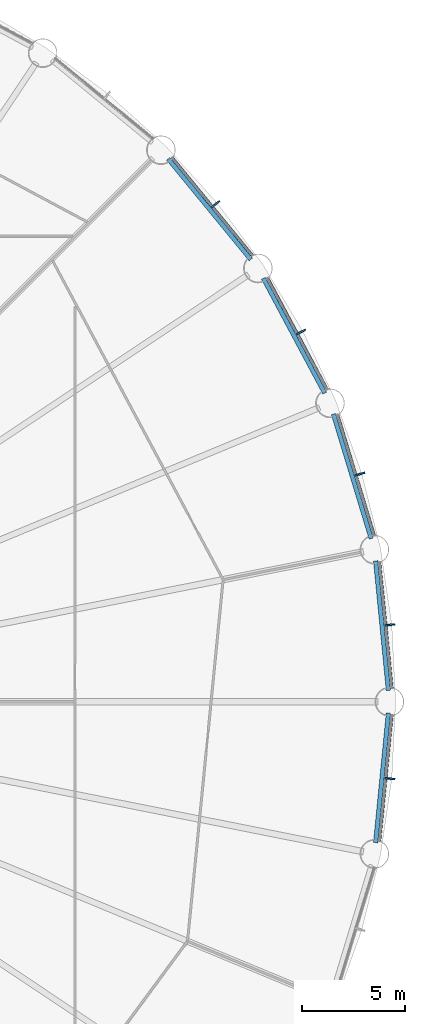
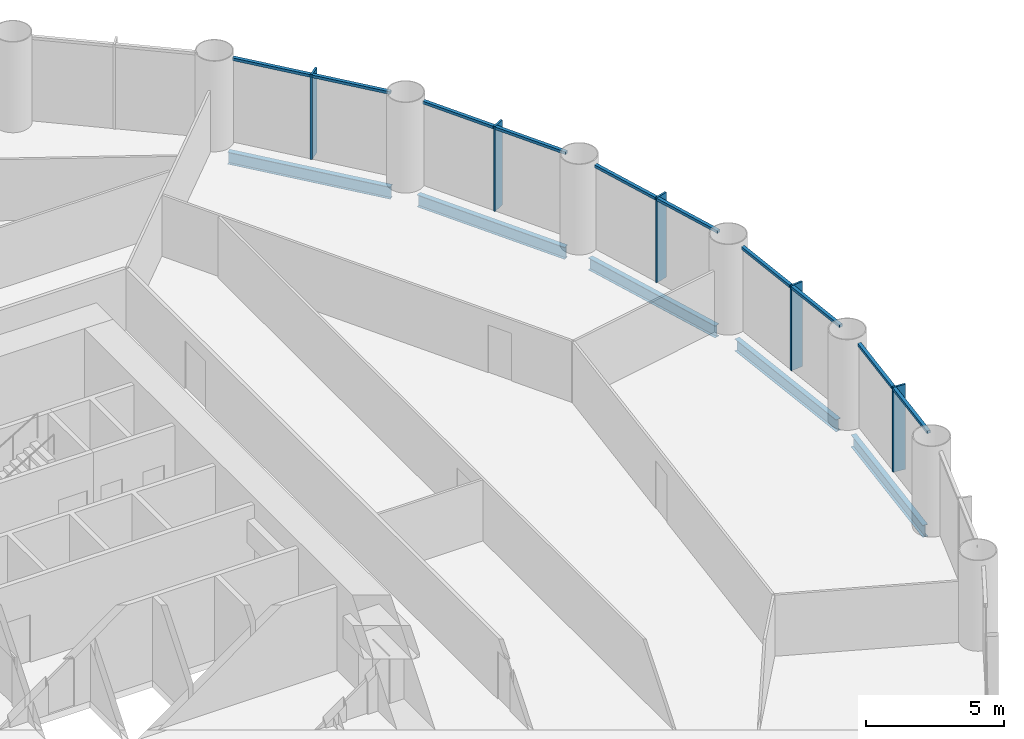
# One storey, part 6 of 15: 15 members, 5 beams, 5 elements without a shape of their own.
"""IFC4 building model written with IfcOpenShell, lengths in metres."""

import ifcopenshell
import ifcopenshell.guid

model = None  # the IFC model being written
_history = None  # IfcOwnerHistory: only IFC2X3 demands one
_inside = {}  # id of a spatial element -> (the spatial element, [elements in it])
_under = {}  # id of a project, library or spatial element -> (it, [spatial elements below it])
_declared = {}  # id of a project -> (the project, [libraries it declares])
_typed = {}  # id of a type object -> (the type object, [elements of that type])
_made_of = {}  # id of a material, layer set ... -> (it, [elements and type objects made of it])


def new_model(schema):
    """Start an empty IFC model of exactly this schema.

    Asked for "IFC4X3", IfcOpenShell would pick the latest addendum, in which some entities
    have other attributes; the version numbers below select the first issue.
    IFC2X3 requires an IfcOwnerHistory on every rooted entity: one is made here for all.
    """
    global model, _history
    if schema == "IFC4X3":
        model = ifcopenshell.file(schema_version=(4, 3, 0, 0))
    else:
        model = ifcopenshell.file(schema=schema)
    _inside.clear()
    _under.clear()
    _declared.clear()
    _typed.clear()
    _made_of.clear()
    _history = None
    if model.schema == "IFC2X3":
        org = make("IfcOrganization", Name="unknown")
        user = make(
            "IfcPersonAndOrganization",
            ThePerson=make("IfcPerson", FamilyName="unknown"),
            TheOrganization=org,
        )
        app = make(
            "IfcApplication",
            ApplicationDeveloper=org,
            Version="unknown",
            ApplicationFullName="unknown",
            ApplicationIdentifier="unknown",
        )
        _history = make(
            "IfcOwnerHistory",
            OwningUser=user,
            OwningApplication=app,
            ChangeAction="ADDED",
            CreationDate=0,
        )
    return model


def make(cls, **values):
    """One entity of the class cls with the attributes given. An attribute that is None is left unset."""
    return model.create_entity(
        cls, **{name: value for name, value in values.items() if value is not None}
    )


def rooted(cls, **values):
    """An entity with a GlobalId (a new one), such as an element, a storey or a relation."""
    return make(cls, GlobalId=ifcopenshell.guid.new(), OwnerHistory=_history, **values)


def si_unit(unit_type, name, prefix=None):
    """IfcSIUnit, for example si_unit("LENGTHUNIT", "METRE", prefix="MILLI")."""
    return make("IfcSIUnit", UnitType=unit_type, Prefix=prefix, Name=name)


def assignment(units):
    """IfcUnitAssignment: the units of a project."""
    return None if units is None else make("IfcUnitAssignment", Units=units)


def point(xyz):
    """IfcCartesianPoint."""
    return None if xyz is None else make("IfcCartesianPoint", Coordinates=xyz)


def direction(xyz):
    """IfcDirection."""
    return None if xyz is None else make("IfcDirection", DirectionRatios=xyz)


def frame(location, z_axis=None, x_axis=None):
    """IfcAxis2Placement3D, a coordinate frame: its origin and axes. An axis left out is left unset."""
    return make(
        "IfcAxis2Placement3D",
        Location=point(location),
        Axis=direction(z_axis),
        RefDirection=direction(x_axis),
    )


def frame_2d(location, x_axis=None):
    """IfcAxis2Placement2D, a coordinate frame in the plane: its origin and x axis."""
    return make(
        "IfcAxis2Placement2D", Location=point(location), RefDirection=direction(x_axis)
    )


def origin():
    """The frame at (0, 0, 0) with its axes left unset."""
    return frame((0.0, 0.0, 0.0))


def origin_2d():
    """The frame at (0, 0) in the plane with its x axis left unset."""
    return frame_2d((0.0, 0.0))


def place(relative_to, where):
    """IfcLocalPlacement: puts the frame where relative to a parent placement (None: the world)."""
    return make(
        "IfcLocalPlacement", PlacementRelTo=relative_to, RelativePlacement=where
    )


def context(
    kind, dimensions, precision=None, world=None, true_north=None, identifier=None
):
    """IfcGeometricRepresentationContext, for example the 3D "Model" context."""
    return make(
        "IfcGeometricRepresentationContext",
        ContextIdentifier=identifier,
        ContextType=kind,
        CoordinateSpaceDimension=dimensions,
        Precision=precision,
        WorldCoordinateSystem=world,
        TrueNorth=true_north,
    )


def subcontext(parent, identifier, kind, view, scale=None):
    """IfcGeometricRepresentationSubContext, for example "Body" below "Model"."""
    return make(
        "IfcGeometricRepresentationSubContext",
        ContextIdentifier=identifier,
        ContextType=kind,
        ParentContext=parent,
        TargetScale=scale,
        TargetView=view,
    )


def project(units=None, contexts=None):
    """IfcProject with its units and contexts."""
    return rooted(
        "IfcProject",
        Name="project",
        RepresentationContexts=contexts,
        UnitsInContext=assignment(units),
    )


def spatial(cls, under=None, at=None, **own):
    """A site, building, storey or space (cls), placed at a placement, below another one or the project."""
    s = rooted(cls, ObjectPlacement=at, **own)
    if under is not None:
        _under.setdefault(under.id(), (under, []))[1].append(s)
    return s


def profile(cls, at=None, kind="AREA", **sizes):
    """A parametric profile (cls). Its sizes go by their IFC names, for example OverallWidth=200.0."""
    return make(cls, ProfileType=kind, Position=at, **sizes)


def rectangle(**sizes):
    """IfcRectangleProfileDef."""
    return profile("IfcRectangleProfileDef", **sizes)


def i_section(**sizes):
    """IfcIShapeProfileDef."""
    return profile("IfcIShapeProfileDef", **sizes)


def extrude(swept, where, along, depth):
    """IfcExtrudedAreaSolid: the profile swept, set in the frame where, extruded along a direction by depth."""
    return make(
        "IfcExtrudedAreaSolid",
        SweptArea=swept,
        Position=where,
        ExtrudedDirection=direction(along),
        Depth=depth,
    )


def shape(context_of_items, identifier, shape_type, items):
    """IfcShapeRepresentation: the items that make up one representation, for example the "Body"."""
    return make(
        "IfcShapeRepresentation",
        ContextOfItems=context_of_items,
        RepresentationIdentifier=identifier,
        RepresentationType=shape_type,
        Items=items,
    )


def material(Name=None, Category=None):
    """IfcMaterial."""
    return make("IfcMaterial", Name=Name, Category=Category)


def material_profile(
    of_material, cross_section, Name=None, Category=None, Priority=None
):
    """IfcMaterialProfile: a cross section and its material."""
    return make(
        "IfcMaterialProfile",
        Name=Name,
        Material=of_material,
        Profile=cross_section,
        Priority=Priority,
        Category=Category,
    )


def profile_set(profiles, Name=None, composite=None):
    """IfcMaterialProfileSet."""
    return make(
        "IfcMaterialProfileSet",
        Name=Name,
        MaterialProfiles=profiles,
        CompositeProfile=composite,
    )


def made_of(thing, what):
    """Note that an element or type object is made of a material, layer set ...; save() writes the relation."""
    if what is not None:
        _made_of.setdefault(what.id(), (what, []))[1].append(thing)
    return thing


def type_object(cls, material=None, **own):
    """A type object (cls), such as IfcWallType, which elements share."""
    return made_of(rooted(cls, **own), material)


def element(
    cls,
    number,
    at=None,
    inside=None,
    cuts=None,
    type_object=None,
    material=None,
    context=None,
    identifier="Body",
    shape_type=None,
    held_by="IfcProductDefinitionShape",
    body=None,
    shapes=None,
    **own,
):
    """One element of the class cls, such as IfcWall. Its Tag is "e" and its number.

    at: its placement. inside: the storey or other place that contains it. cuts: it is an
    opening in that element (IfcRelVoidsElement). A single representation is given by context,
    identifier, shape_type and body (its items); several are given by shapes. held_by: the class
    of the entity that holds the representations. save() writes the other relations.
    """
    e = rooted(cls, Tag="e%d" % number, ObjectPlacement=at, **own)
    if body is not None:
        shapes = [shape(context, identifier, shape_type, body)]
    if shapes is not None:
        e.Representation = make(held_by, Representations=shapes)
    if inside is not None:
        _inside.setdefault(inside.id(), (inside, []))[1].append(e)
    if cuts is not None:
        rooted(
            "IfcRelVoidsElement", RelatingBuildingElement=cuts, RelatedOpeningElement=e
        )
    if type_object is not None:
        _typed.setdefault(type_object.id(), (type_object, []))[1].append(e)
    return made_of(e, material)


def aggregate(whole, parts):
    """IfcRelAggregates: a whole, such as a stair, and the parts it consists of."""
    return rooted("IfcRelAggregates", RelatingObject=whole, RelatedObjects=parts)


def save(model, path):
    """Write the relations noted so far, then the file.

    IfcRelAggregates (storeys below a building ...), IfcRelContainedInSpatialStructure (elements
    in a storey), IfcRelDefinesByType, IfcRelAssociatesMaterial and IfcRelDeclares: one each for
    every whole, place, type object, material and project.
    """
    for whole, parts in _under.values():
        aggregate(whole, parts)
    for where, things in _inside.values():
        rooted(
            "IfcRelContainedInSpatialStructure",
            RelatedElements=things,
            RelatingStructure=where,
        )
    for kind, things in _typed.values():
        rooted("IfcRelDefinesByType", RelatedObjects=things, RelatingType=kind)
    for what, things in _made_of.values():
        rooted("IfcRelAssociatesMaterial", RelatedObjects=things, RelatingMaterial=what)
    for by, libraries in _declared.values():
        rooted("IfcRelDeclares", RelatingContext=by, RelatedDefinitions=libraries)
    model.write(path)


model = new_model("IFC4")

# Units and contexts
model_context = context("Model", 3, precision=1e-05, world=origin(), true_north=direction((0.0, 1.0)))
body_context = subcontext(model_context, "Body", "Model", "MODEL_VIEW")
ifc_project = project(units=[si_unit("LENGTHUNIT", "METRE"), si_unit("AREAUNIT", "SQUARE_METRE"), si_unit("VOLUMEUNIT", "CUBIC_METRE"), si_unit("PLANEANGLEUNIT", "RADIAN"), si_unit("MASSUNIT", "GRAM", prefix="KILO")], contexts=[model_context])

# Site, building, storey
site_placement = place(None, origin())
site = spatial("IfcSite", under=ifc_project, at=site_placement, CompositionType="ELEMENT")
building_placement = place(site_placement, origin())
building = spatial("IfcBuilding", under=site, at=building_placement, Name="Corvane Civic Tower", CompositionType="ELEMENT")
storey_placement = place(building_placement, frame((0.0, 0.0, 45.0)))
storey = spatial("IfcBuildingStorey", under=building, at=storey_placement, Name="L09", CompositionType="ELEMENT", Elevation=45.0)

# Beams
ifc_material_1 = material(Name="Steel ASTM A992 Gr 50", Category="steel")
ifc_material_profile_1 = material_profile(ifc_material_1, i_section(OverallWidth=0.209228515625, OverallDepth=0.533447265625, WebThickness=0.01025390625, FlangeThickness=0.015625, at=origin_2d()), Name="W21X62")
ifc_profile_set_1 = profile_set([ifc_material_profile_1], Name="Steel ASTM A992 Gr 50")
beam_type = type_object("IfcBeamType", Name="EDGE BEAM W21X62", PredefinedType="BEAM", material=ifc_profile_set_1)
beam_placement = place(storey_placement, frame((27.0068359375, 26.23291015625, -0.566650390625), z_axis=(0.634386787141, -0.773015785286, 0.0), x_axis=(0.773015785286, 0.634386787141, 0.0)))
element("IfcBeam", 1, at=beam_placement, inside=storey, type_object=beam_type, Name="BM-L09-E05", PredefinedType="BEAM", context=body_context, shape_type="SweptSolid", body=[
    extrude(i_section(OverallWidth=0.209228515625, OverallDepth=0.533447265625, WebThickness=0.01025390625, FlangeThickness=0.015625, at=origin_2d()), origin(), (0.0, 0.0, 1.0), 6.290771484375),
])
for number, where, z_axis, x_axis, name in (
    (2, (31.605712890625, 20.4599609375, -0.566650390625), (0.471405897311, -0.881916367906, 0.0), (0.881916367906, 0.471405897311, 0.0), "BM-L09-E06"),
    (3, (34.989990234375, 13.90087890625, -0.566650390625), (0.290273452184, -0.956943740748, 0.0), (0.956943740748, 0.290273452184, 0.0), "BM-L09-E07"),
):
    element("IfcBeam", number, at=place(storey_placement, frame(where, z_axis=z_axis, x_axis=x_axis)), inside=storey, type_object=beam_type, Name=name, PredefinedType="BEAM", context=body_context, shape_type="SweptSolid", body=[
        extrude(i_section(OverallWidth=0.209228515625, OverallDepth=0.533447265625, WebThickness=0.01025390625, FlangeThickness=0.015625, at=origin_2d()), origin(), (0.0, 0.0, 1.0), 6.290283203125),
    ])
for number, where, z_axis, x_axis, name in (
    (4, (37.029541015625, 6.8076171875, -0.566650390625), (0.097997284622, -0.995186682089, 0.0), (0.995186682089, 0.097997284622, 0.0), "BM-L09-E08"),
    (5, (37.64599609375, -0.54736328125, -0.566650390625), (-0.097997284622, -0.995186682089, 0.0), (0.995186682089, -0.097997284622, 0.0), "BM-L09-E09"),
):
    element("IfcBeam", number, at=place(storey_placement, frame(where, z_axis=z_axis, x_axis=x_axis)), inside=storey, type_object=beam_type, Name=name, PredefinedType="BEAM", context=body_context, shape_type="SweptSolid", body=[
        extrude(i_section(OverallWidth=0.209228515625, OverallDepth=0.533447265625, WebThickness=0.01025390625, FlangeThickness=0.015625, at=origin_2d()), origin(), (0.0, 0.0, 1.0), 6.29052734375),
    ])

# Curtain wall, members
ifc_material_2 = material(Name="Anodised aluminium bronze", Category="aluminium")
curtain_wall_type = type_object("IfcCurtainWallType", Name="TOWER CW-T1 STICK CURTAIN WALL", PredefinedType="NOTDEFINED", material=ifc_material_2)
curtain_wall_1_placement = place(storey_placement, origin())
curtain_wall_1 = element("IfcCurtainWall", 6, at=curtain_wall_1_placement, inside=storey, type_object=curtain_wall_type, Name="Curtain wall CW-T1 L09 bay 05", PredefinedType="NOTDEFINED")
ifc_material_3 = material(Name="Anodised aluminium bronze", Category="aluminium")
ifc_material_profile_2 = material_profile(ifc_material_3, rectangle(XDim=0.139892578125, YDim=0.1201171875, at=origin_2d()), Name="TOWER CW-T1 TRANSOM 140x120")
ifc_profile_set_2 = profile_set([ifc_material_profile_2], Name="Anodised aluminium bronze")
member_type_1 = type_object("IfcMemberType", Name="TOWER CW-T1 TRANSOM 140x120", PredefinedType="USERDEFINED", material=ifc_profile_set_2)
member_1_placement = place(storey_placement, frame((27.20654296875, 26.271728515625, 3.68994140625), z_axis=(0.634403652865, -0.773001943873, 0.0), x_axis=(0.773001943873, 0.634403652865, 0.0)))
member_1 = element("IfcMember", 7, at=member_1_placement, type_object=member_type_1, Name="Transom CW-T1 L09 05.1", ObjectType="TRANSOM", PredefinedType="USERDEFINED", context=body_context, shape_type="SweptSolid", body=[
    extrude(rectangle(XDim=0.139892578125, YDim=0.1201171875, at=origin_2d()), origin(), (0.0, 0.0, 1.0), 3.008544921875),
])
member_2_placement = place(storey_placement, frame((29.166015625, 23.88427734375, 3.68994140625), z_axis=(0.634355161466, -0.773041738279, 0.0), x_axis=(0.773041738279, 0.634355161466, 0.0)))
member_2 = element("IfcMember", 8, at=member_2_placement, type_object=member_type_1, Name="Transom CW-T1 L09 05.2", ObjectType="TRANSOM", PredefinedType="USERDEFINED", context=body_context, shape_type="SweptSolid", body=[
    extrude(rectangle(XDim=0.139892578125, YDim=0.1201171875, at=origin_2d()), origin(), (0.0, 0.0, 1.0), 3.008544921875),
])

curtain_wall_2_placement = place(storey_placement, origin())
curtain_wall_2 = element("IfcCurtainWall", 9, at=curtain_wall_2_placement, inside=storey, type_object=curtain_wall_type, Name="Curtain wall CW-T1 L09 bay 06", PredefinedType="NOTDEFINED")
member_3_placement = place(storey_placement, frame((31.809326171875, 20.459228515625, 3.68994140625), z_axis=(0.471392506424, -0.881923525532, 0.0), x_axis=(0.881923525532, 0.471392506424, 0.0)))
member_3 = element("IfcMember", 10, at=member_3_placement, type_object=member_type_1, Name="Transom CW-T1 L09 06.1", ObjectType="TRANSOM", PredefinedType="USERDEFINED", context=body_context, shape_type="SweptSolid", body=[
    extrude(rectangle(XDim=0.139892578125, YDim=0.1201171875, at=origin_2d()), origin(), (0.0, 0.0, 1.0), 3.008544921875),
])
member_4_placement = place(storey_placement, frame((33.26513671875, 17.7353515625, 3.68994140625), z_axis=(0.471392506424, -0.881923525532, 0.0), x_axis=(0.881923525532, 0.471392506424, 0.0)))
member_4 = element("IfcMember", 11, at=member_4_placement, type_object=member_type_1, Name="Transom CW-T1 L09 06.2", ObjectType="TRANSOM", PredefinedType="USERDEFINED", context=body_context, shape_type="SweptSolid", body=[
    extrude(rectangle(XDim=0.139892578125, YDim=0.1201171875, at=origin_2d()), origin(), (0.0, 0.0, 1.0), 3.008544921875),
])

curtain_wall_3_placement = place(storey_placement, origin())
curtain_wall_3 = element("IfcCurtainWall", 12, at=curtain_wall_3_placement, inside=storey, type_object=curtain_wall_type, Name="Curtain wall CW-T1 L09 bay 07", PredefinedType="NOTDEFINED")
member_5_placement = place(storey_placement, frame((35.189453125, 13.8603515625, 3.68994140625), z_axis=(0.290279914268, -0.956941780555, 0.0), x_axis=(0.956941780555, 0.290279914268, 0.0)))
member_5 = element("IfcMember", 13, at=member_5_placement, type_object=member_type_1, Name="Transom CW-T1 L09 07.1", ObjectType="TRANSOM", PredefinedType="USERDEFINED", context=body_context, shape_type="SweptSolid", body=[
    extrude(rectangle(XDim=0.139892578125, YDim=0.1201171875, at=origin_2d()), origin(), (0.0, 0.0, 1.0), 3.008544921875),
])
member_6_placement = place(storey_placement, frame((36.0859375, 10.90478515625, 3.68994140625), z_axis=(0.290279914268, -0.956941780555, 0.0), x_axis=(0.956941780555, 0.290279914268, 0.0)))
member_6 = element("IfcMember", 14, at=member_6_placement, type_object=member_type_1, Name="Transom CW-T1 L09 07.2", ObjectType="TRANSOM", PredefinedType="USERDEFINED", context=body_context, shape_type="SweptSolid", body=[
    extrude(rectangle(XDim=0.139892578125, YDim=0.1201171875, at=origin_2d()), origin(), (0.0, 0.0, 1.0), 3.008544921875),
])

curtain_wall_4_placement = place(storey_placement, origin())
curtain_wall_4 = element("IfcCurtainWall", 15, at=curtain_wall_4_placement, inside=storey, type_object=curtain_wall_type, Name="Curtain wall CW-T1 L09 bay 08", PredefinedType="NOTDEFINED")
member_7_placement = place(storey_placement, frame((37.21728515625, 6.72900390625, 3.68994140625), z_axis=(0.097944923917, -0.995191836722, 0.0), x_axis=(0.995191836722, 0.097944923917, 0.0)))
member_7 = element("IfcMember", 16, at=member_7_placement, type_object=member_type_1, Name="Transom CW-T1 L09 08.1", ObjectType="TRANSOM", PredefinedType="USERDEFINED", context=body_context, shape_type="SweptSolid", body=[
    extrude(rectangle(XDim=0.139892578125, YDim=0.1201171875, at=origin_2d()), origin(), (0.0, 0.0, 1.0), 3.008544921875),
])
member_8_placement = place(storey_placement, frame((37.52001953125, 3.6552734375, 3.68994140625), z_axis=(0.097944923917, -0.995191836722, 0.0), x_axis=(0.995191836722, 0.097944923917, 0.0)))
member_8 = element("IfcMember", 17, at=member_8_placement, type_object=member_type_1, Name="Transom CW-T1 L09 08.2", ObjectType="TRANSOM", PredefinedType="USERDEFINED", context=body_context, shape_type="SweptSolid", body=[
    extrude(rectangle(XDim=0.139892578125, YDim=0.1201171875, at=origin_2d()), origin(), (0.0, 0.0, 1.0), 3.008544921875),
])

curtain_wall_5_placement = place(storey_placement, origin())
curtain_wall_5 = element("IfcCurtainWall", 18, at=curtain_wall_5_placement, inside=storey, type_object=curtain_wall_type, Name="Curtain wall CW-T1 L09 bay 09", PredefinedType="NOTDEFINED")
member_9_placement = place(storey_placement, frame((37.814697265625, -0.6611328125, 3.68994140625), z_axis=(-0.097944923917, -0.995191836722, 0.0), x_axis=(0.995191836722, -0.097944923917, 0.0)))
member_9 = element("IfcMember", 19, at=member_9_placement, type_object=member_type_1, Name="Transom CW-T1 L09 09.1", ObjectType="TRANSOM", PredefinedType="USERDEFINED", context=body_context, shape_type="SweptSolid", body=[
    extrude(rectangle(XDim=0.139892578125, YDim=0.1201171875, at=origin_2d()), origin(), (0.0, 0.0, 1.0), 3.008544921875),
])
member_10_placement = place(storey_placement, frame((37.511962890625, -3.73486328125, 3.68994140625), z_axis=(-0.097944923917, -0.995191836722, 0.0), x_axis=(0.995191836722, -0.097944923917, 0.0)))
member_10 = element("IfcMember", 20, at=member_10_placement, type_object=member_type_1, Name="Transom CW-T1 L09 09.2", ObjectType="TRANSOM", PredefinedType="USERDEFINED", context=body_context, shape_type="SweptSolid", body=[
    extrude(rectangle(XDim=0.139892578125, YDim=0.1201171875, at=origin_2d()), origin(), (0.0, 0.0, 1.0), 3.008544921875),
])

# Member
ifc_material_4 = material(Name="Anodised aluminium bronze", Category="aluminium")
ifc_material_profile_3 = material_profile(ifc_material_4, rectangle(XDim=0.080078125, YDim=0.5, at=origin_2d()), Name="TOWER FIN MULLION 80x500 BRONZE")
ifc_profile_set_3 = profile_set([ifc_material_profile_3], Name="Anodised aluminium bronze")
member_type_2 = type_object("IfcMemberType", Name="TOWER FIN MULLION 80x500 BRONZE", PredefinedType="MULLION", material=ifc_profile_set_3)
member_11_placement = place(storey_placement, frame((29.295166015625, 24.0419921875, 0.0), z_axis=(0.0, 0.0, 1.0), x_axis=(0.634397218569, -0.773007224463, 0.0)))
member_11 = element("IfcMember", 21, at=member_11_placement, type_object=member_type_2, Name="Fin mullion 05 L09", PredefinedType="MULLION", context=body_context, shape_type="SweptSolid", body=[
    extrude(rectangle(XDim=0.080078125, YDim=0.5, at=origin_2d()), origin(), (0.0, 0.0, 1.0), 3.75),
])

aggregate(curtain_wall_1, [member_11, member_1, member_2])

member_12_placement = place(storey_placement, frame((33.422607421875, 17.86474609375, 0.0), z_axis=(0.0, 0.0, 1.0), x_axis=(0.471403725359, -0.881917528864, 0.0)))
member_12 = element("IfcMember", 22, at=member_12_placement, type_object=member_type_2, Name="Fin mullion 06 L09", PredefinedType="MULLION", context=body_context, shape_type="SweptSolid", body=[
    extrude(rectangle(XDim=0.080078125, YDim=0.5, at=origin_2d()), origin(), (0.0, 0.0, 1.0), 3.75),
])

aggregate(curtain_wall_2, [member_12, member_3, member_4])

member_13_placement = place(storey_placement, frame((36.265625, 11.001220703125, 0.0), z_axis=(0.0, 0.0, 1.0), x_axis=(0.290278397654, -0.956942240606, 0.0)))
member_13 = element("IfcMember", 23, at=member_13_placement, type_object=member_type_2, Name="Fin mullion 07 L09", PredefinedType="MULLION", context=body_context, shape_type="SweptSolid", body=[
    extrude(rectangle(XDim=0.080078125, YDim=0.5, at=origin_2d()), origin(), (0.0, 0.0, 1.0), 3.75),
])

aggregate(curtain_wall_3, [member_13, member_5, member_6])

member_14_placement = place(storey_placement, frame((37.715087890625, 3.714599609375, 0.0), z_axis=(0.0, 0.0, 1.0), x_axis=(0.098006239521, -0.995185800248, 0.0)))
member_14 = element("IfcMember", 24, at=member_14_placement, type_object=member_type_2, Name="Fin mullion 08 L09", PredefinedType="MULLION", context=body_context, shape_type="SweptSolid", body=[
    extrude(rectangle(XDim=0.080078125, YDim=0.5, at=origin_2d()), origin(), (0.0, 0.0, 1.0), 3.75),
])

aggregate(curtain_wall_4, [member_14, member_7, member_8])

member_15_placement = place(storey_placement, frame((37.715087890625, -3.714599609375, 0.0), z_axis=(0.0, 0.0, 1.0), x_axis=(-0.098006239521, -0.995185800248, 0.0)))
member_15 = element("IfcMember", 25, at=member_15_placement, type_object=member_type_2, Name="Fin mullion 09 L09", PredefinedType="MULLION", context=body_context, shape_type="SweptSolid", body=[
    extrude(rectangle(XDim=0.080078125, YDim=0.5, at=origin_2d()), origin(), (0.0, 0.0, 1.0), 3.75),
])

aggregate(curtain_wall_5, [member_15, member_9, member_10])

save(model, "model.ifc")
